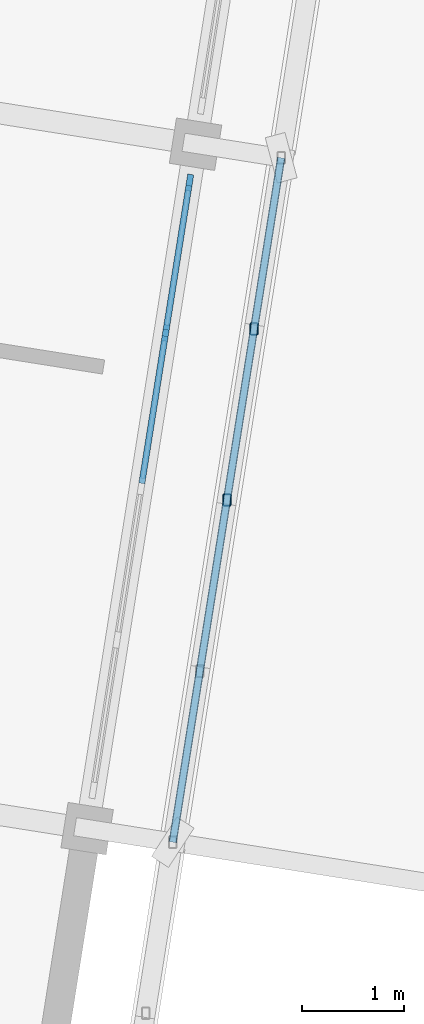
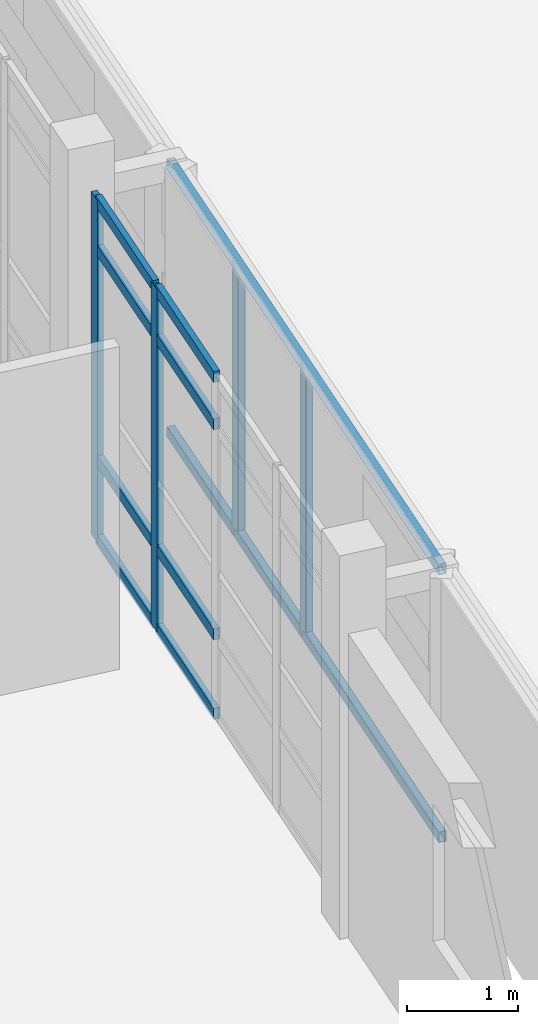
# One storey, part 80 of 137: 14 members, 1 element without a shape of its own.
"""IFC4 building model written with IfcOpenShell, lengths in metres."""

from ifc_helpers import new_model, si_unit, direction, frame, origin, origin_2d, place, context, subcontext, project, spatial, rectangle, hollow_rectangle, extrude, material, material_profile, profile_set, type_object, element, aggregate, save


model = new_model("IFC4")

# Units and contexts
model_context = context("Model", 3, precision=1e-05, world=origin(), true_north=direction((0.0, 1.0)))
body_context = subcontext(model_context, "Body", "Model", "MODEL_VIEW")
ifc_project = project(units=[si_unit("LENGTHUNIT", "METRE"), si_unit("AREAUNIT", "SQUARE_METRE"), si_unit("VOLUMEUNIT", "CUBIC_METRE"), si_unit("PLANEANGLEUNIT", "RADIAN"), si_unit("MASSUNIT", "GRAM", prefix="KILO")], contexts=[model_context])

# Site, building, storey
site_placement = place(None, origin())
site = spatial("IfcSite", under=ifc_project, at=site_placement, CompositionType="ELEMENT")
building_placement = place(site_placement, origin())
building = spatial("IfcBuilding", under=site, at=building_placement, Name="Cinderway Yard Community Centre", CompositionType="ELEMENT")
storey_placement = place(building_placement, frame((0.0, 0.0, 4.800048828125)))
storey = spatial("IfcBuildingStorey", under=building, at=storey_placement, Name="L01", CompositionType="ELEMENT", Elevation=4.800048828125)

# Curtain wall, members
ifc_material_1 = material(Name="Aluminium 6063-T6", Category="aluminium")
curtain_wall_type = type_object("IfcCurtainWallType", Name="ENV-CW-TYPE-16", PredefinedType="USERDEFINED", material=ifc_material_1)
curtain_wall_placement = place(storey_placement, origin())
curtain_wall = element("IfcCurtainWall", 1, at=curtain_wall_placement, inside=storey, type_object=curtain_wall_type, Name="Fitness East Curtain Wall ENV-CW-L01-ST-0058", ObjectType="GLAZED CURTAIN WALL", PredefinedType="USERDEFINED")
ifc_material_profile_1 = material_profile(ifc_material_1, rectangle(XDim=0.06005859375, YDim=0.159912109375, at=origin_2d()), Name="Aluminium 6063-T6")
ifc_profile_set_1 = profile_set([ifc_material_profile_1], Name="Aluminium 6063-T6")
member_type_1 = type_object("IfcMemberType", Name="ENV-CW-MULL-150", PredefinedType="MULLION", material=ifc_profile_set_1)
member_1_placement = place(storey_placement, frame((150.528564453125, 51.60400390625, 0.0), z_axis=(0.0, 0.0, 1.0), x_axis=(-0.987691073089, 0.156417211778, 0.0)))
member_1 = element("IfcMember", 2, at=member_1_placement, type_object=member_type_1, Name="CW-16 mullion 4", PredefinedType="MULLION", context=body_context, shape_type="SweptSolid", body=[
    extrude(rectangle(XDim=0.06005859375, YDim=0.159912109375, at=origin_2d()), origin(), (0.0, 0.0, 1.0), 3.75),
])
member_2_placement = place(storey_placement, frame((150.76220703125, 53.080322265625, 0.0), z_axis=(0.0, 0.0, 1.0), x_axis=(-0.987691073089, 0.156417211778, 0.0)))
member_2 = element("IfcMember", 3, at=member_2_placement, type_object=member_type_1, Name="CW-16 mullion 5", PredefinedType="MULLION", context=body_context, shape_type="SweptSolid", body=[
    extrude(rectangle(XDim=0.06005859375, YDim=0.159912109375, at=origin_2d()), origin(), (0.0, 0.0, 1.0), 3.75),
])
ifc_material_profile_2 = material_profile(ifc_material_1, rectangle(XDim=0.06005859375, YDim=0.1201171875, at=origin_2d()), Name="Aluminium 6063-T6")
ifc_profile_set_2 = profile_set([ifc_material_profile_2], Name="Aluminium 6063-T6")
member_type_2 = type_object("IfcMemberType", Name="ENV-CW-TRAN-110", PredefinedType="USERDEFINED", material=ifc_profile_set_2)
member_3_placement = place(storey_placement, frame((150.294677734375, 50.127685546875, 0.030029296875), z_axis=(0.156501745439, 0.987677682078, 0.0), x_axis=(-0.987677682078, 0.156501745439, 0.0)))
member_3 = element("IfcMember", 4, at=member_3_placement, type_object=member_type_2, Name="CW-16 transom 3.1", ObjectType="TRANSOM", PredefinedType="USERDEFINED", context=body_context, shape_type="SweptSolid", body=[
    extrude(rectangle(XDim=0.06005859375, YDim=0.1201171875, at=origin_2d()), origin(), (0.0, 0.0, 1.0), 1.46484375),
])
member_4_placement = place(storey_placement, frame((150.294677734375, 50.127685546875, 0.89990234375), z_axis=(0.156501745439, 0.987677682078, 0.0), x_axis=(-0.987677682078, 0.156501745439, 0.0)))
member_4 = element("IfcMember", 5, at=member_4_placement, type_object=member_type_2, Name="CW-16 transom 3.2", ObjectType="TRANSOM", PredefinedType="USERDEFINED", context=body_context, shape_type="SweptSolid", body=[
    extrude(rectangle(XDim=0.06005859375, YDim=0.1201171875, at=origin_2d()), origin(), (0.0, 0.0, 1.0), 1.46484375),
])
member_5_placement = place(storey_placement, frame((150.294677734375, 50.127685546875, 3.199951171875), z_axis=(0.156501745439, 0.987677682078, 0.0), x_axis=(-0.987677682078, 0.156501745439, 0.0)))
member_5 = element("IfcMember", 6, at=member_5_placement, type_object=member_type_2, Name="CW-16 transom 3.3", ObjectType="TRANSOM", PredefinedType="USERDEFINED", context=body_context, shape_type="SweptSolid", body=[
    extrude(rectangle(XDim=0.06005859375, YDim=0.1201171875, at=origin_2d()), origin(), (0.0, 0.0, 1.0), 1.46484375),
])
member_6_placement = place(storey_placement, frame((150.294677734375, 50.127685546875, 3.719970703125), z_axis=(0.156501745439, 0.987677682078, 0.0), x_axis=(-0.987677682078, 0.156501745439, 0.0)))
member_6 = element("IfcMember", 7, at=member_6_placement, type_object=member_type_2, Name="CW-16 transom 3.4", ObjectType="TRANSOM", PredefinedType="USERDEFINED", context=body_context, shape_type="SweptSolid", body=[
    extrude(rectangle(XDim=0.06005859375, YDim=0.1201171875, at=origin_2d()), origin(), (0.0, 0.0, 1.0), 1.46484375),
])
member_7_placement = place(storey_placement, frame((150.533203125, 51.633544921875, 0.030029296875), z_axis=(0.156364473776, 0.98769942358, 0.0), x_axis=(-0.98769942358, 0.156364473776, 0.0)))
member_7 = element("IfcMember", 8, at=member_7_placement, type_object=member_type_2, Name="CW-16 transom 4.1", ObjectType="TRANSOM", PredefinedType="USERDEFINED", context=body_context, shape_type="SweptSolid", body=[
    extrude(rectangle(XDim=0.06005859375, YDim=0.1201171875, at=origin_2d()), origin(), (0.0, 0.0, 1.0), 1.434814453125),
])
member_8_placement = place(storey_placement, frame((150.533203125, 51.633544921875, 0.89990234375), z_axis=(0.156364473776, 0.98769942358, 0.0), x_axis=(-0.98769942358, 0.156364473776, 0.0)))
member_8 = element("IfcMember", 9, at=member_8_placement, type_object=member_type_2, Name="CW-16 transom 4.2", ObjectType="TRANSOM", PredefinedType="USERDEFINED", context=body_context, shape_type="SweptSolid", body=[
    extrude(rectangle(XDim=0.06005859375, YDim=0.1201171875, at=origin_2d()), origin(), (0.0, 0.0, 1.0), 1.434814453125),
])
member_9_placement = place(storey_placement, frame((150.533203125, 51.633544921875, 3.199951171875), z_axis=(0.156364473776, 0.98769942358, 0.0), x_axis=(-0.98769942358, 0.156364473776, 0.0)))
member_9 = element("IfcMember", 10, at=member_9_placement, type_object=member_type_2, Name="CW-16 transom 4.3", ObjectType="TRANSOM", PredefinedType="USERDEFINED", context=body_context, shape_type="SweptSolid", body=[
    extrude(rectangle(XDim=0.06005859375, YDim=0.1201171875, at=origin_2d()), origin(), (0.0, 0.0, 1.0), 1.434814453125),
])
member_10_placement = place(storey_placement, frame((150.533203125, 51.633544921875, 3.719970703125), z_axis=(0.156364473776, 0.98769942358, 0.0), x_axis=(-0.98769942358, 0.156364473776, 0.0)))
member_10 = element("IfcMember", 11, at=member_10_placement, type_object=member_type_2, Name="CW-16 transom 4.4", ObjectType="TRANSOM", PredefinedType="USERDEFINED", context=body_context, shape_type="SweptSolid", body=[
    extrude(rectangle(XDim=0.06005859375, YDim=0.1201171875, at=origin_2d()), origin(), (0.0, 0.0, 1.0), 1.434814453125),
])
aggregate(curtain_wall, [member_1, member_2, member_3, member_4, member_5, member_6, member_7, member_8, member_9, member_10])

# Members
ifc_material_2 = material(Name="Steel S355", Category="steel")
ifc_material_profile_3 = material_profile(ifc_material_2, hollow_rectangle(XDim=0.080078125, YDim=0.1201171875, WallThickness=0.00634765625, InnerFilletRadius=0.00634765625, OuterFilletRadius=0.0126953125, at=origin_2d()), Name="Steel S355")
ifc_profile_set_3 = profile_set([ifc_material_profile_3], Name="Steel S355")
member_type_3 = type_object("IfcMemberType", Name="ENV-MEM-SCREEN-RAIL-120", PredefinedType="STRINGER", material=ifc_profile_set_3)
for number, where, z_axis, x_axis, name in (
    (12, (150.597900390625, 46.60693359375, 0.7099609375), (0.15650460011, 0.987677229739, 0.0), (-0.987677229739, 0.15650460011, 0.0), "Screen support rail 1019-BOT"),
    (13, (150.597900390625, 46.60693359375, 3.639892578125), (0.15650460011, 0.987677229739, 0.0), (-0.987677229739, 0.15650460011, 0.0), "Screen support rail 1020-TOP"),
):
    element("IfcMember", number, at=place(storey_placement, frame(where, z_axis=z_axis, x_axis=x_axis)), inside=storey, type_object=member_type_3, Name=name, PredefinedType="STRINGER", context=body_context, shape_type="SweptSolid", body=[
        extrude(hollow_rectangle(XDim=0.080078125, YDim=0.1201171875, WallThickness=0.00634765625, InnerFilletRadius=0.00634765625, OuterFilletRadius=0.0126953125, at=origin_2d()), origin(), (0.0, 0.0, 1.0), 6.7998046875),
    ])
for number, where, z_axis, x_axis, name in (
    (14, (151.1298828125, 49.965087890625, 0.68994140625), (0.0, 0.0, 1.0), (1.0, 0.0, 0.0), "Screen vertical mullion 1022"),
    (15, (151.39599609375, 51.64404296875, 0.68994140625), (0.0, 0.0, 1.0), (1.0, 0.0, 0.0), "Screen vertical mullion 1023"),
):
    element("IfcMember", number, at=place(storey_placement, frame(where, z_axis=z_axis, x_axis=x_axis)), inside=storey, type_object=member_type_3, Name=name, PredefinedType="STRINGER", context=body_context, shape_type="SweptSolid", body=[
        extrude(hollow_rectangle(XDim=0.080078125, YDim=0.1201171875, WallThickness=0.00634765625, InnerFilletRadius=0.00634765625, OuterFilletRadius=0.0126953125, at=origin_2d()), origin(), (0.0, 0.0, 1.0), 2.969970703125),
    ])

save(model, "model.ifc")
